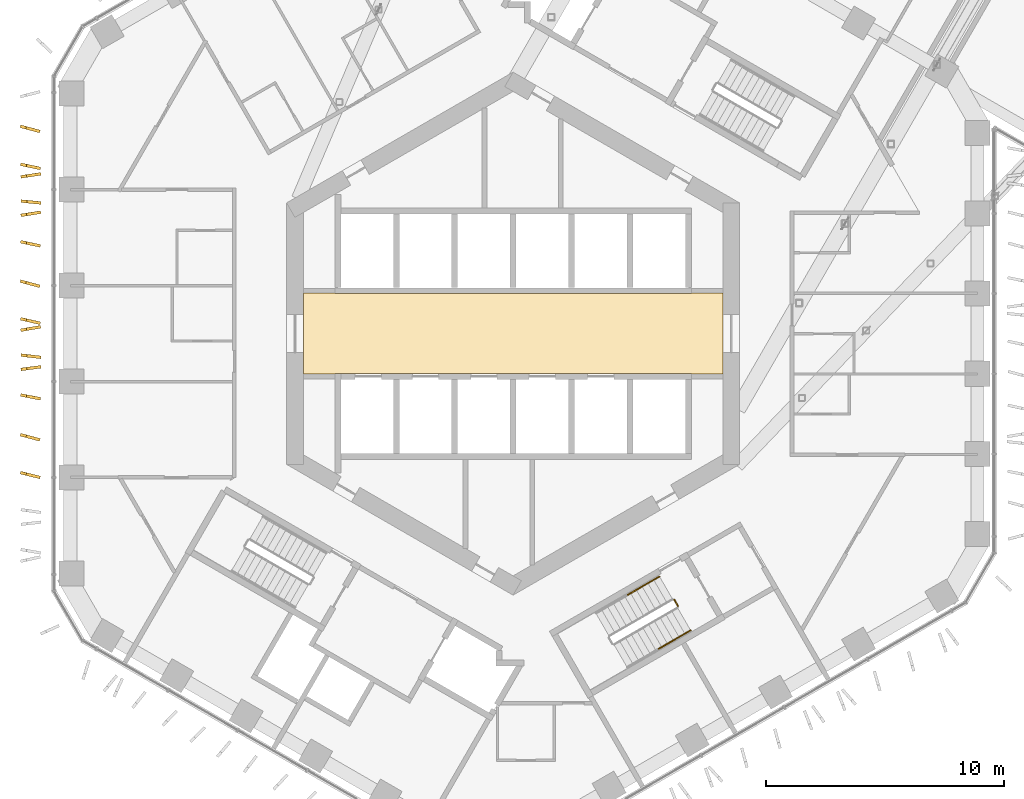
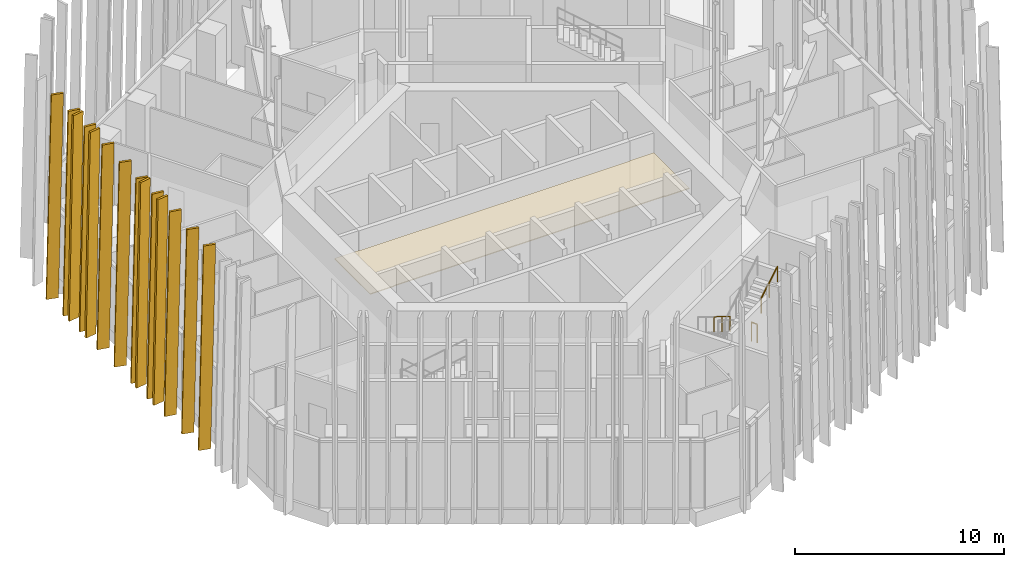
# One storey, part 28 of 31: 14 shading devices, 3 railings, 1 covering.
"""IFC4 building model written with IfcOpenShell, lengths in metres."""

from ifc_helpers import new_model, si_unit, direction, frame, origin, origin_2d, place, context, subcontext, project, spatial, polyline, circle, outline, extrude, material, layer, layer_set, type_object, element, save


model = new_model("IFC4")

# Units and contexts
model_context = context("Model", 3, precision=1e-05, world=origin(), true_north=direction((0.0, 1.0)))
body_context = subcontext(model_context, "Body", "Model", "MODEL_VIEW")
ifc_project = project(units=[si_unit("LENGTHUNIT", "METRE"), si_unit("AREAUNIT", "SQUARE_METRE"), si_unit("VOLUMEUNIT", "CUBIC_METRE"), si_unit("PLANEANGLEUNIT", "RADIAN"), si_unit("MASSUNIT", "GRAM", prefix="KILO")], contexts=[model_context])

# Site, building, storey
site_placement = place(None, origin())
site = spatial("IfcSite", under=ifc_project, at=site_placement, CompositionType="ELEMENT")
building_placement = place(site_placement, origin())
building = spatial("IfcBuilding", under=site, at=building_placement, Name="Ayvan Gate Tower", CompositionType="ELEMENT")
storey_placement = place(building_placement, frame((0.0, 0.0, 135.89990234375)))
storey = spatial("IfcBuildingStorey", under=building, at=storey_placement, Name="L36", CompositionType="ELEMENT", Elevation=135.89990234375)

# Shading devices
ifc_material_1 = material(Name="Bronze anodised aluminium", Category="aluminium")
ifc_layer_1 = layer(ifc_material_1, 0.1201171875)
ifc_layer_set_1 = layer_set([ifc_layer_1], Name="Bronze anodised aluminium")
shading_device_type = type_object("IfcShadingDeviceType", Name="Bronze fin 600 x 120", PredefinedType="USERDEFINED", material=ifc_layer_set_1)
shading_device_1_placement = place(storey_placement, frame((-20.073486328125, 8.602294921875, 0.0), z_axis=(0.258397064424, 0.966038788887, 0.000124349427), x_axis=(-0.966038796356, 0.258397066422, 0.0)))
element("IfcShadingDevice", 1, at=shading_device_1_placement, inside=storey, type_object=shading_device_type, Name="Bronze fin FG13.3.28", ObjectType="FIN", PredefinedType="USERDEFINED", context=body_context, shape_type="SweptSolid", body=[
    extrude(outline(polyline([(0.0, 0.0), (0.5999653905582442, 6.776263578034403e-21), (0.3503849557094332, 11.880127044974897), (-0.24958043484881087, 11.880127044974897), (0.0, 0.0)])), origin(), (0.0, 0.0, -1.0), 0.1201171875),
])
shading_device_2_placement = place(storey_placement, frame((-20.05859375, 7.039306640625, 0.0), z_axis=(0.205067114521, 0.978747904723, 0.000132446239), x_axis=(-0.978747913308, 0.20506711632, -5.527e-09)))
element("IfcShadingDevice", 2, at=shading_device_2_placement, inside=storey, type_object=shading_device_type, Name="Bronze fin FG13.3.30", ObjectType="FIN", PredefinedType="USERDEFINED", context=body_context, shape_type="SweptSolid", body=[
    extrude(outline(polyline([(0.0, 0.0), (0.5999127339185366, 0.0), (0.35038540690458186, 11.88012705926207), (-0.24976627914122718, 11.8801270526298), (0.0, 0.0)])), origin(), (0.0, 0.0, -1.0), 0.1201171875),
])
shading_device_3_placement = place(storey_placement, frame((-20.06591796875, 6.726318359375, 0.0), z_axis=(-0.150926014184, 0.988545052473, 0.000132189199), x_axis=(-0.98854506111, -0.150926015503, 0.0)))
element("IfcShadingDevice", 3, at=shading_device_3_placement, inside=storey, type_object=shading_device_type, Name="Bronze fin FG13.3.31", ObjectType="FIN", PredefinedType="USERDEFINED", context=body_context, shape_type="SweptSolid", body=[
    extrude(outline(polyline([(0.0, 0.0), (0.6001362427363754, 0.0), (0.3504427241481269, 11.880127056921578), (-0.2496935185882485, 11.880127056921578), (0.0, 0.0)])), origin(), (0.0, 0.0, -1.0), 0.1201171875),
])
shading_device_4_placement = place(storey_placement, frame((-20.041259765625, 5.564453125, 0.0), z_axis=(0.094405820092, 0.99553378817, 0.000133208488), x_axis=(-0.995533797003, 0.094405820929, 2.558e-09)))
element("IfcShadingDevice", 4, at=shading_device_4_placement, inside=storey, type_object=shading_device_type, Name="Bronze fin FG13.3.32", ObjectType="FIN", PredefinedType="USERDEFINED", context=body_context, shape_type="SweptSolid", body=[
    extrude(outline(polyline([(0.0, 0.0), (0.6000911503225752, 0.0), (0.3502920584224107, 11.880127057632372), (-0.24955604165675574, 11.880127060701978), (0.0, 0.0)])), origin(), (0.0, 0.0, -1.0), 0.1201171875),
])
shading_device_5_placement = place(storey_placement, frame((-20.0673828125, 5.115234375, 0.0), z_axis=(-0.156014798692, 0.987754709844, 0.000125575173), x_axis=(-0.987754717633, -0.156014799919, -2.5231e-08)))
element("IfcShadingDevice", 5, at=shading_device_5_placement, inside=storey, type_object=shading_device_type, Name="Bronze fin FG13.3.33", ObjectType="FIN", PredefinedType="USERDEFINED", context=body_context, shape_type="SweptSolid", body=[
    extrude(outline(polyline([(0.0, 0.0), (0.6001030573197959, -3.3881317890172014e-21), (0.35047134059915597, 11.880127055637399), (-0.24966980627140142, 11.880127025353852), (0.0, 0.0)])), origin(), (0.0, 0.0, -1.0), 0.1201171875),
])
shading_device_6_placement = place(storey_placement, frame((-20.059326171875, 3.79052734375, 0.0), z_axis=(0.208306393416, 0.978063612838, 0.000125312759), x_axis=(-0.978063620518, 0.208306395052, 0.0)))
element("IfcShadingDevice", 6, at=shading_device_6_placement, inside=storey, type_object=shading_device_type, Name="Bronze fin FG13.3.34", ObjectType="FIN", PredefinedType="USERDEFINED", context=body_context, shape_type="SweptSolid", body=[
    extrude(outline(polyline([(0.0, 0.0), (0.6000775922830762, 3.3881317890172014e-21), (0.3503938380316853, 11.880127046403528), (-0.249683754251391, 11.880127046403528), (0.0, 0.0)])), origin(), (0.0, 0.0, -1.0), 0.1201171875),
])
shading_device_7_placement = place(storey_placement, frame((-20.073486328125, 2.10693359375, 0.0), z_axis=(0.258397064424, 0.966038788887, 0.000124349427), x_axis=(-0.966038796356, 0.258397066422, 0.0)))
element("IfcShadingDevice", 7, at=shading_device_7_placement, inside=storey, type_object=shading_device_type, Name="Bronze fin FG13.3.36", ObjectType="FIN", PredefinedType="USERDEFINED", context=body_context, shape_type="SweptSolid", body=[
    extrude(outline(polyline([(0.0, 0.0), (0.5999653905582442, 6.776263578034403e-21), (0.3503849557094332, 11.880127044974897), (-0.24958043484881087, 11.880127044974897), (0.0, 0.0)])), origin(), (0.0, 0.0, -1.0), 0.1201171875),
])
shading_device_8_placement = place(storey_placement, frame((-20.0625, 0.55029296875, 0.0), z_axis=(0.220741666471, 0.975332303284, 0.000121878474), x_axis=(-0.975332310529, 0.220741668108, 2.4185e-08)))
element("IfcShadingDevice", 8, at=shading_device_8_placement, inside=storey, type_object=shading_device_type, Name="Bronze fin FG13.3.38", ObjectType="FIN", PredefinedType="USERDEFINED", context=body_context, shape_type="SweptSolid", body=[
    extrude(outline(polyline([(0.0, 0.0), (0.5999788897586409, 0.0), (0.35036435613255573, 11.88012703288715), (-0.24966842563490055, 11.880127061909942), (0.0, 0.0)])), origin(), (0.0, 0.0, -1.0), 0.1201171875),
])
shading_device_9_placement = place(storey_placement, frame((-20.072509765625, 0.30517578125, 0.0), z_axis=(-0.172937988197, 0.984932706896, 0.000122982845), x_axis=(-0.984932714344, -0.172937989505, 4.328e-09)))
element("IfcShadingDevice", 9, at=shading_device_9_placement, inside=storey, type_object=shading_device_type, Name="Bronze fin FG13.3.39", ObjectType="FIN", PredefinedType="USERDEFINED", context=body_context, shape_type="SweptSolid", body=[
    extrude(outline(polyline([(0.0, 0.0), (0.5998622593391715, 0.0), (0.350256702294063, 11.880127041451225), (-0.24984601913357146, 11.880127046644747), (0.0, 0.0)])), origin(), (0.0, 0.0, -1.0), 0.1201171875),
])
shading_device_10_placement = place(storey_placement, frame((-20.04296875, -0.906982421875, 0.0), z_axis=(0.113334261402, 0.993556909203, 0.000115620764), x_axis=(-0.993556915843, 0.113334262162, -2.0703e-08)))
element("IfcShadingDevice", 10, at=shading_device_10_placement, inside=storey, type_object=shading_device_type, Name="Bronze fin FG13.3.40", ObjectType="FIN", PredefinedType="USERDEFINED", context=body_context, shape_type="SweptSolid", body=[
    extrude(outline(polyline([(0.0, 0.0), (0.6000698846759555, 0.0), (0.35024527190324845, 11.880127039783913), (-0.2495543756687019, 11.880127014942824), (0.0, 0.0)])), origin(), (0.0, 0.0, -1.0), 0.1201171875),
])
shading_device_11_placement = place(storey_placement, frame((-20.061279296875, -1.36279296875, 0.0), z_axis=(-0.132670185197, 0.991160233277, 0.000118022083), x_axis=(-0.99116024018, -0.132670186122, 3.187e-09)))
element("IfcShadingDevice", 11, at=shading_device_11_placement, inside=storey, type_object=shading_device_type, Name="Bronze fin FG13.3.41", ObjectType="FIN", PredefinedType="USERDEFINED", context=body_context, shape_type="SweptSolid", body=[
    extrude(outline(polyline([(0.0, 0.0), (0.59978653943235, 0.0), (0.3502056183709272, 11.880127034749382), (-0.24982290354193562, 11.88012703857291), (0.0, 0.0)])), origin(), (0.0, 0.0, -1.0), 0.1201171875),
])
shading_device_12_placement = place(storey_placement, frame((-20.054931640625, -2.627197265625, 0.0), z_axis=(0.189345224179, 0.981910571788, 0.00012284785), x_axis=(-0.981910579198, 0.189345225604, 2.4534e-08)))
element("IfcShadingDevice", 12, at=shading_device_12_placement, inside=storey, type_object=shading_device_type, Name="Bronze fin FG13.3.42", ObjectType="FIN", PredefinedType="USERDEFINED", context=body_context, shape_type="SweptSolid", body=[
    extrude(outline(polyline([(0.0, 0.0), (0.6001898603734994, 0.0), (0.35054757106628665, 11.880127034169846), (-0.24968851616893267, 11.880127063620591), (0.0, 0.0)])), origin(), (0.0, 0.0, -1.0), 0.1201171875),
])
shading_device_13_placement = place(storey_placement, frame((-20.072509765625, -4.33349609375, 0.0), z_axis=(0.255534651059, 0.966799889994, 0.000121716981), x_axis=(-0.966799897156, 0.255534652952, 0.0)))
element("IfcShadingDevice", 13, at=shading_device_13_placement, inside=storey, type_object=shading_device_type, Name="Bronze fin FG13.3.44", ObjectType="FIN", PredefinedType="USERDEFINED", context=body_context, shape_type="SweptSolid", body=[
    extrude(outline(polyline([(0.0, 0.0), (0.5999981244375796, 0.0), (0.3503742839026483, 11.880127041127182), (-0.24962384053493133, 11.880127041127182), (0.0, 0.0)])), origin(), (0.0, 0.0, -1.0), 0.1201171875),
])
shading_device_14_placement = place(storey_placement, frame((-20.06640625, -5.914794921875, 0.0), z_axis=(0.234773109909, 0.972050189901, 0.000123192055), x_axis=(-0.972050197277, 0.234773111691, 0.0)))
element("IfcShadingDevice", 14, at=shading_device_14_placement, inside=storey, type_object=shading_device_type, Name="Bronze fin FG13.3.46", ObjectType="FIN", PredefinedType="USERDEFINED", context=body_context, shape_type="SweptSolid", body=[
    extrude(outline(polyline([(0.0, 0.0), (0.6000224625833214, 0.0), (0.350266595549047, 11.880127043273085), (-0.24975586703427435, 11.880127043273085), (0.0, 0.0)])), origin(), (0.0, 0.0, -1.0), 0.1201171875),
])

# Covering
ifc_material_2 = material(Name="Plasterboard suspended ceiling")
ifc_layer_2 = layer(ifc_material_2, 0.050048828125)
ifc_layer_set_2 = layer_set([ifc_layer_2], Name="Plasterboard suspended ceiling")
covering_type = type_object("IfcCoveringType", Name="CT-SUSP-50", PredefinedType="CEILING", material=ifc_layer_set_2)
covering_placement = place(storey_placement, frame((0.0, 0.0, 2.400146484375)))
element("IfcCovering", 15, at=covering_placement, inside=storey, type_object=covering_type, Name="Ceiling Lift Lobby L36", PredefinedType="CEILING", context=body_context, shape_type="SweptSolid", body=[
    extrude(outline(polyline([(7.47509765625, -1.675048828125), (-7.47509765625, -1.675048828125), (-7.47509765625, -1.699951171875), (-8.800048828125, -1.699951171875), (-8.800048828125, 1.699951171875), (-7.47509765625, 1.699951171875), (-7.47509765625, 1.675048828125), (7.47509765625, 1.675048828125), (7.47509765625, 1.699951171875), (8.800048828125, 1.699951171875), (8.800048828125, -1.699951171875), (7.47509765625, -1.699951171875), (7.47509765625, -1.675048828125)])), origin(), (0.0, 0.0, 1.0), 0.050048828125),
])

# Railings
ifc_material_3 = material(Name="Stainless steel balustrade", Category="steel")
railing_type_1 = type_object("IfcRailingType", Name="RL-GUARD-1100", PredefinedType="GUARDRAIL", material=ifc_material_3)
railing_1_placement = place(storey_placement, frame((6.7607421875, -11.159912109375, 0.0)))
element("IfcRailing", 16, at=railing_1_placement, inside=storey, type_object=railing_type_1, Name="L36 STS3 stair guard 4", PredefinedType="GUARDRAIL", context=body_context, shape_type="SweptSolid", body=[
    extrude(circle(Radius=0.02392578125, at=origin_2d()), frame((0.0, 0.0, 1.076171875), z_axis=(0.500290723946, -0.86585748916, 0.0), x_axis=(0.86585748916, 0.500290723946, 0.0)), (0.0, 0.0, 1.0), 0.309814453125),
    extrude(circle(Radius=0.02099609375, at=origin_2d()), origin(), (0.0, 0.0, 1.0), 1.052001953125),
    extrude(circle(Radius=0.02099609375, at=origin_2d()), frame((0.155029296875, -0.268310546875, 0.0)), (0.0, 0.0, 1.0), 1.052001953125),
])
railing_type_2 = type_object("IfcRailingType", Name="RL-HANDRAIL-900", PredefinedType="HANDRAIL", material=ifc_material_3)
railing_2_placement = place(storey_placement, frame((6.142333984375, -10.18896484375, 0.166748046875)))
element("IfcRailing", 17, at=railing_2_placement, inside=storey, type_object=railing_type_2, Name="L36 STS3 stair handrail 1", PredefinedType="HANDRAIL", context=body_context, shape_type="SweptSolid", body=[
    extrude(circle(Radius=0.02392578125, at=origin_2d()), frame((0.0, 0.0, 0.8759765625), z_axis=(-0.7441639146, -0.429634447492, 0.511502013422), x_axis=(0.499992328818, -0.866029832698, 0.0)), (0.0, 0.0, 1.0), 1.792236328125),
    extrude(circle(Radius=0.02099609375, at=origin_2d()), origin(), (0.0, 0.0, 1.0), 0.851806640625),
    extrude(circle(Radius=0.02099609375, at=origin_2d()), frame((-0.6669921875, -0.385009765625, 0.45849609375)), (0.0, 0.0, 1.0), 0.851806640625),
    extrude(circle(Radius=0.02099609375, at=origin_2d()), frame((-1.333740234375, -0.77001953125, 0.916748046875)), (0.0, 0.0, 1.0), 0.851806640625),
])
railing_3_placement = place(storey_placement, frame((6.11376953125, -13.21923828125, 3.08349609375)))
element("IfcRailing", 18, at=railing_3_placement, inside=storey, type_object=railing_type_2, Name="L36 STS3 stair handrail 4", PredefinedType="HANDRAIL", context=body_context, shape_type="SweptSolid", body=[
    extrude(circle(Radius=0.02392578125, at=origin_2d()), frame((0.0, 0.0, 0.8759765625), z_axis=(0.744154977086, 0.429707945391, 0.511453274255), x_axis=(-0.500060979923, 0.865990194147, 0.0)), (0.0, 0.0, 1.0), 1.7919921875),
    extrude(circle(Radius=0.02099609375, at=origin_2d()), origin(), (0.0, 0.0, 1.0), 0.851806640625),
    extrude(circle(Radius=0.02099609375, at=origin_2d()), frame((0.666748046875, 0.385009765625, 0.458251953125)), (0.0, 0.0, 1.0), 0.851806640625),
    extrude(circle(Radius=0.02099609375, at=origin_2d()), frame((1.33349609375, 0.77001953125, 0.91650390625)), (0.0, 0.0, 1.0), 0.851806640625),
])

save(model, "model.ifc")
